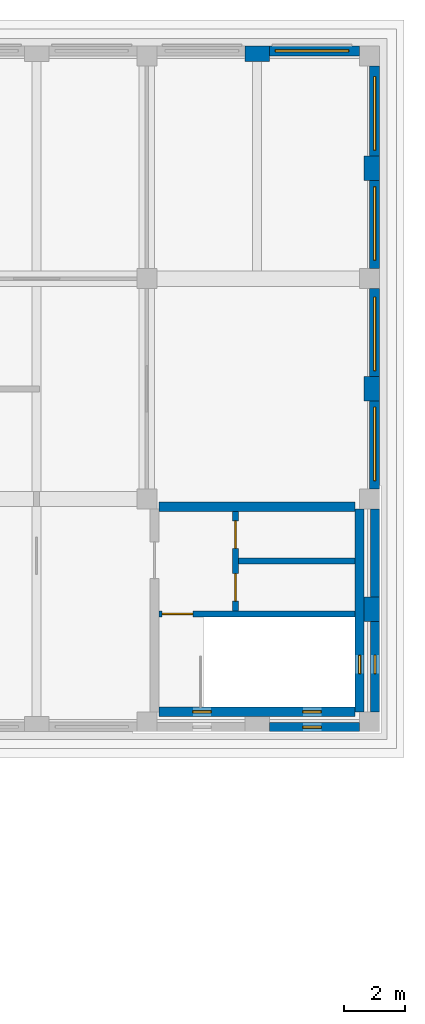
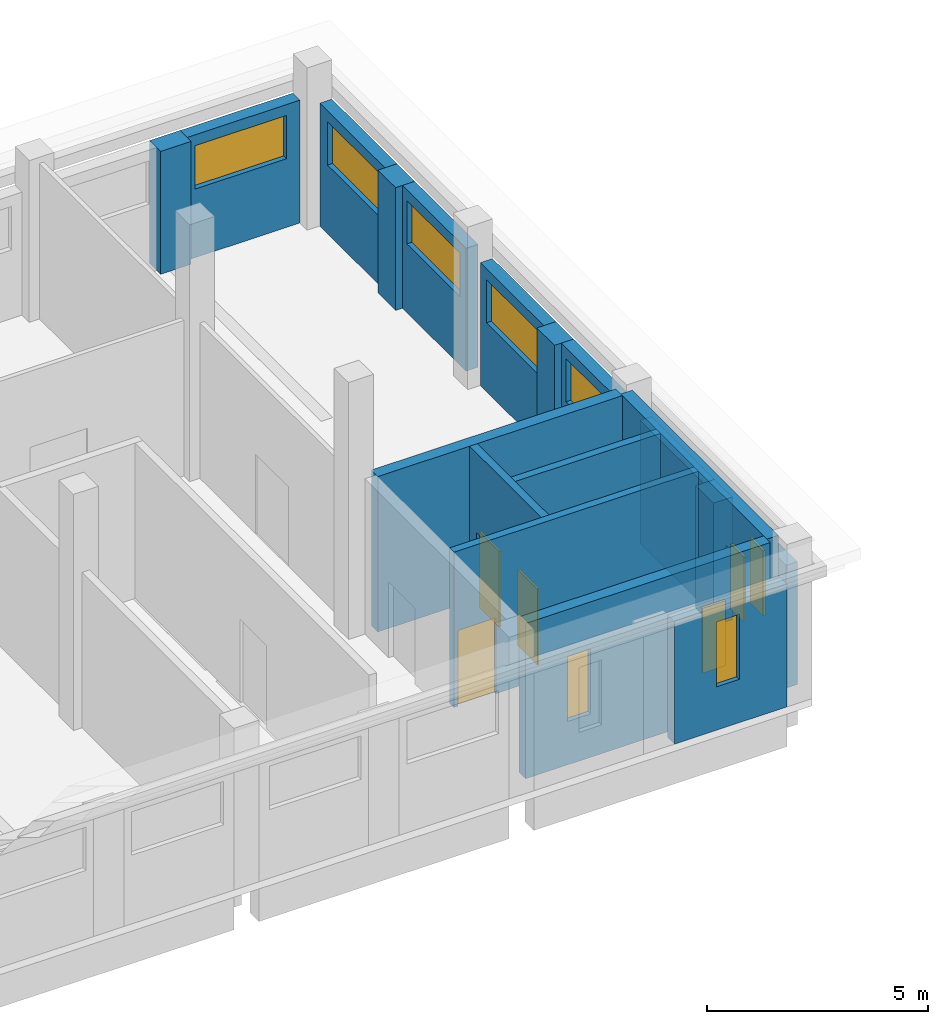
# One storey, part 32 of 58: 18 walls, 10 windows, 3 doors, 13 openings.
"""IFC4 building model written with IfcOpenShell, lengths in metres."""

from ifc_helpers import new_model, si_unit, direction, frame, frame_2d, origin, place, context, subcontext, project, spatial, rectangle, extrude, material, layer, layer_set, type_object, element, fill, save


model = new_model("IFC4")

# Units and contexts
model_context = context("Model", 3, precision=1e-05, world=origin(), true_north=direction((0.0, 1.0)))
body_context = subcontext(model_context, "Body", "Model", "MODEL_VIEW")
ifc_project = project(units=[si_unit("LENGTHUNIT", "METRE"), si_unit("AREAUNIT", "SQUARE_METRE"), si_unit("VOLUMEUNIT", "CUBIC_METRE"), si_unit("PLANEANGLEUNIT", "RADIAN"), si_unit("MASSUNIT", "GRAM", prefix="KILO")], contexts=[model_context])

# Site, building, storey
site_placement = place(None, origin())
site = spatial("IfcSite", under=ifc_project, at=site_placement, CompositionType="ELEMENT")
building_placement = place(site_placement, origin())
building = spatial("IfcBuilding", under=site, at=building_placement, Name="Ussher Court Research Institute", CompositionType="ELEMENT")
storey_placement = place(building_placement, frame((0.0, 0.0, 9.89990234375)))
storey = spatial("IfcBuildingStorey", under=building, at=storey_placement, Name="L02", CompositionType="ELEMENT", Elevation=9.89990234375)

# Wall, opening, window
ifc_material_1 = material(Name="Faience facing on insulated blockwork", Category="masonry")
ifc_layer_1 = layer(ifc_material_1, 0.320068359375)
ifc_layer_set_1 = layer_set([ifc_layer_1], Name="Faience facing on insulated blockwork")
wall_type_1 = type_object("IfcWallType", Name="Clean-room wall 320 faience faced insulated panel", PredefinedType="SOLIDWALL", material=ifc_layer_set_1)
wall_1_placement = place(storey_placement, frame((100.60009765625, 90.639892578125, 0.0), z_axis=(0.0, 0.0, 1.0), x_axis=(1.0, 0.0, 0.0)))
wall_1 = element("IfcWall", 1, at=wall_1_placement, inside=storey, type_object=wall_type_1, Name="External wall EW3 L02", PredefinedType="SOLIDWALL", context=body_context, shape_type="SweptSolid", body=[
    extrude(rectangle(XDim=2.949951171875, YDim=0.320068359375, at=frame_2d((1.47509765625, 0.0))), origin(), (0.0, 0.0, 1.0), 3.400146484375),
])
opening_1_placement = place(wall_1_placement, frame((0.199951171875, 0.0, 1.89990234375)))
opening_1 = element("IfcOpeningElement", 2, at=opening_1_placement, cuts=wall_1, Name="Opening W04", PredefinedType="OPENING", context=body_context, shape_type="SweptSolid", body=[
    extrude(rectangle(XDim=2.39990234375, YDim=1.199951171875, at=frame_2d((1.199951171875, 0.60009765625))), frame((0.0, 0.169921875, 0.0), z_axis=(0.0, -1.0, 0.0), x_axis=(1.0, 0.0, 0.0)), (0.0, 0.0, 1.0), 0.340087890625),
])
ifc_material_2 = material(Name="Bronze anodised aluminium with double glazing", Category="aluminium")
window_type_1 = type_object("IfcWindowType", Name="Clean-room clerestory window 2400x1200", PartitioningType="TRIPLE_PANEL_HORIZONTAL", PredefinedType="WINDOW", material=ifc_material_2)
window_1_placement = place(opening_1_placement, origin())
window_1 = element("IfcWindow", 3, at=window_1_placement, inside=storey, type_object=window_type_1, Name="Window W04 L02", OverallHeight=1.199951171875, OverallWidth=2.39990234375, PartitioningType="SINGLE_PANEL", PredefinedType="WINDOW", context=body_context, shape_type="SweptSolid", body=[
    extrude(rectangle(XDim=2.39990234375, YDim=1.199951171875, at=frame_2d((1.199951171875, 0.60009765625))), frame((0.0, 0.030029296875, 0.0), z_axis=(0.0, -1.0, 0.0), x_axis=(1.0, 0.0, 0.0)), (0.0, 0.0, 1.0), 0.06005859375),
])
fill(opening_1, window_1)

wall_2_placement = place(storey_placement, frame((104.0400390625, 90.14990234375, 0.0), z_axis=(0.0, 0.0, 1.0), x_axis=(0.0, -1.0, 0.0)))
wall_2 = element("IfcWall", 4, at=wall_2_placement, inside=storey, type_object=wall_type_1, Name="External wall EW3 L02", PredefinedType="SOLIDWALL", context=body_context, shape_type="SweptSolid", body=[
    extrude(rectangle(XDim=2.949951171875, YDim=0.320068359375, at=frame_2d((1.47509765625, 0.0))), origin(), (0.0, 0.0, 1.0), 3.400146484375),
])
opening_2_placement = place(wall_2_placement, frame((0.35009765625, 0.0, 1.89990234375)))
opening_2 = element("IfcOpeningElement", 5, at=opening_2_placement, cuts=wall_2, Name="Opening W04", PredefinedType="OPENING", context=body_context, shape_type="SweptSolid", body=[
    extrude(rectangle(XDim=2.39990234375, YDim=1.199951171875, at=frame_2d((1.199951171875, 0.60009765625))), frame((0.0, 0.169921875, 0.0), z_axis=(0.0, -1.0, 0.0), x_axis=(1.0, 0.0, 0.0)), (0.0, 0.0, 1.0), 0.340087890625),
])
window_2_placement = place(opening_2_placement, origin())
window_2 = element("IfcWindow", 6, at=window_2_placement, inside=storey, type_object=window_type_1, Name="Window W04 L02", OverallHeight=1.199951171875, OverallWidth=2.39990234375, PartitioningType="SINGLE_PANEL", PredefinedType="WINDOW", context=body_context, shape_type="SweptSolid", body=[
    extrude(rectangle(XDim=2.39990234375, YDim=1.199951171875, at=frame_2d((1.199951171875, 0.60009765625))), frame((0.0, 0.030029296875, 0.0), z_axis=(0.0, -1.0, 0.0), x_axis=(1.0, 0.0, 0.0)), (0.0, 0.0, 1.0), 0.06005859375),
])
fill(opening_2, window_2)

wall_3_placement = place(storey_placement, frame((104.0400390625, 86.39990234375, 0.0), z_axis=(0.0, 0.0, 1.0), x_axis=(0.0, -1.0, 0.0)))
wall_3 = element("IfcWall", 7, at=wall_3_placement, inside=storey, type_object=wall_type_1, Name="External wall EW3 L02", PredefinedType="SOLIDWALL", context=body_context, shape_type="SweptSolid", body=[
    extrude(rectangle(XDim=2.875, YDim=0.320068359375, at=frame_2d((1.4375, 0.0))), origin(), (0.0, 0.0, 1.0), 3.400146484375),
])
opening_3_placement = place(wall_3_placement, frame((0.199951171875, 0.0, 1.89990234375)))
opening_3 = element("IfcOpeningElement", 8, at=opening_3_placement, cuts=wall_3, Name="Opening W04", PredefinedType="OPENING", context=body_context, shape_type="SweptSolid", body=[
    extrude(rectangle(XDim=2.39990234375, YDim=1.199951171875, at=frame_2d((1.199951171875, 0.60009765625))), frame((0.0, 0.169921875, 0.0), z_axis=(0.0, -1.0, 0.0), x_axis=(1.0, 0.0, 0.0)), (0.0, 0.0, 1.0), 0.340087890625),
])
window_3_placement = place(opening_3_placement, origin())
window_3 = element("IfcWindow", 9, at=window_3_placement, inside=storey, type_object=window_type_1, Name="Window W04 L02", OverallHeight=1.199951171875, OverallWidth=2.39990234375, PartitioningType="SINGLE_PANEL", PredefinedType="WINDOW", context=body_context, shape_type="SweptSolid", body=[
    extrude(rectangle(XDim=2.39990234375, YDim=1.199951171875, at=frame_2d((1.199951171875, 0.60009765625))), frame((0.0, 0.030029296875, 0.0), z_axis=(0.0, -1.0, 0.0), x_axis=(1.0, 0.0, 0.0)), (0.0, 0.0, 1.0), 0.06005859375),
])
fill(opening_3, window_3)

wall_4_placement = place(storey_placement, frame((104.0400390625, 82.875, 0.0), z_axis=(0.0, 0.0, 1.0), x_axis=(0.0, -1.0, 0.0)))
wall_4 = element("IfcWall", 10, at=wall_4_placement, inside=storey, type_object=wall_type_1, Name="External wall EW3 L02", PredefinedType="SOLIDWALL", context=body_context, shape_type="SweptSolid", body=[
    extrude(rectangle(XDim=2.875, YDim=0.320068359375, at=frame_2d((1.4375, 0.0))), origin(), (0.0, 0.0, 1.0), 3.400146484375),
])
opening_4_placement = place(wall_4_placement, frame((0.27490234375, 0.0, 1.89990234375)))
opening_4 = element("IfcOpeningElement", 11, at=opening_4_placement, cuts=wall_4, Name="Opening W04", PredefinedType="OPENING", context=body_context, shape_type="SweptSolid", body=[
    extrude(rectangle(XDim=2.39990234375, YDim=1.199951171875, at=frame_2d((1.199951171875, 0.60009765625))), frame((0.0, 0.169921875, 0.0), z_axis=(0.0, -1.0, 0.0), x_axis=(1.0, 0.0, 0.0)), (0.0, 0.0, 1.0), 0.340087890625),
])
window_4_placement = place(opening_4_placement, origin())
window_4 = element("IfcWindow", 12, at=window_4_placement, inside=storey, type_object=window_type_1, Name="Window W04 L02", OverallHeight=1.199951171875, OverallWidth=2.39990234375, PartitioningType="SINGLE_PANEL", PredefinedType="WINDOW", context=body_context, shape_type="SweptSolid", body=[
    extrude(rectangle(XDim=2.39990234375, YDim=1.199951171875, at=frame_2d((1.199951171875, 0.60009765625))), frame((0.0, 0.030029296875, 0.0), z_axis=(0.0, -1.0, 0.0), x_axis=(1.0, 0.0, 0.0)), (0.0, 0.0, 1.0), 0.06005859375),
])
fill(opening_4, window_4)

wall_5_placement = place(storey_placement, frame((104.0400390625, 79.199951171875, 0.0), z_axis=(0.0, 0.0, 1.0), x_axis=(0.0, -1.0, 0.0)))
wall_5 = element("IfcWall", 13, at=wall_5_placement, inside=storey, type_object=wall_type_1, Name="External wall EW3 L02", PredefinedType="SOLIDWALL", context=body_context, shape_type="SweptSolid", body=[
    extrude(rectangle(XDim=2.875, YDim=0.320068359375, at=frame_2d((1.4375, 0.0))), origin(), (0.0, 0.0, 1.0), 3.400146484375),
])
opening_5_placement = place(wall_5_placement, frame((0.199951171875, 0.0, 1.89990234375)))
opening_5 = element("IfcOpeningElement", 14, at=opening_5_placement, cuts=wall_5, Name="Opening W04", PredefinedType="OPENING", context=body_context, shape_type="SweptSolid", body=[
    extrude(rectangle(XDim=2.39990234375, YDim=1.199951171875, at=frame_2d((1.199951171875, 0.60009765625))), frame((0.0, 0.169921875, 0.0), z_axis=(0.0, -1.0, 0.0), x_axis=(1.0, 0.0, 0.0)), (0.0, 0.0, 1.0), 0.340087890625),
])
window_5_placement = place(opening_5_placement, origin())
window_5 = element("IfcWindow", 15, at=window_5_placement, inside=storey, type_object=window_type_1, Name="Window W04 L02", OverallHeight=1.199951171875, OverallWidth=2.39990234375, PartitioningType="SINGLE_PANEL", PredefinedType="WINDOW", context=body_context, shape_type="SweptSolid", body=[
    extrude(rectangle(XDim=2.39990234375, YDim=1.199951171875, at=frame_2d((1.199951171875, 0.60009765625))), frame((0.0, 0.030029296875, 0.0), z_axis=(0.0, -1.0, 0.0), x_axis=(1.0, 0.0, 0.0)), (0.0, 0.0, 1.0), 0.06005859375),
])
fill(opening_5, window_5)

# Wall
ifc_material_3 = material(Name="Limestone facing on blockwork", Category="masonry")
ifc_layer_2 = layer(ifc_material_3, 0.300048828125)
ifc_layer_set_2 = layer_set([ifc_layer_2], Name="Limestone facing on blockwork")
wall_type_2 = type_object("IfcWallType", Name="External wall 300 stair enclosure", PredefinedType="SOLIDWALL", material=ifc_layer_set_2)
wall_6_placement = place(storey_placement, frame((104.050048828125, 75.675048828125, 0.0), z_axis=(0.0, 0.0, 1.0), x_axis=(0.0, -1.0, 0.0)))
element("IfcWall", 16, at=wall_6_placement, inside=storey, type_object=wall_type_2, Name="External wall EW5 L02", PredefinedType="SOLIDWALL", context=body_context, shape_type="SweptSolid", body=[
    extrude(rectangle(XDim=2.875, YDim=0.300048828125, at=frame_2d((1.4375, 0.0))), origin(), (0.0, 0.0, 1.0), 3.400146484375),
])

# Wall, opening, window
wall_7_placement = place(storey_placement, frame((104.050048828125, 72.0, 0.0), z_axis=(0.0, 0.0, 1.0), x_axis=(0.0, -1.0, 0.0)))
wall_7 = element("IfcWall", 17, at=wall_7_placement, inside=storey, type_object=wall_type_2, Name="External wall EW5 L02", PredefinedType="SOLIDWALL", context=body_context, shape_type="SweptSolid", body=[
    extrude(rectangle(XDim=2.949951171875, YDim=0.300048828125, at=frame_2d((1.47509765625, 0.0))), origin(), (0.0, 0.0, 1.0), 3.400146484375),
])
opening_6_placement = place(wall_7_placement, frame((1.10009765625, 0.0, 1.199951171875)))
opening_6 = element("IfcOpeningElement", 18, at=opening_6_placement, cuts=wall_7, Name="Opening W25", PredefinedType="OPENING", context=body_context, shape_type="SweptSolid", body=[
    extrude(rectangle(XDim=0.60009765625, YDim=1.800048828125, at=frame_2d((0.300048828125, 0.89990234375))), frame((0.0, 0.16015625, 0.0), z_axis=(0.0, -1.0, 0.0), x_axis=(1.0, 0.0, 0.0)), (0.0, 0.0, 1.0), 0.320068359375),
])
ifc_material_4 = material(Name="Bronze anodised aluminium with double glazing", Category="aluminium")
window_type_2 = type_object("IfcWindowType", Name="Stair light slot window 600x1800 fire-resisting glazing", PartitioningType="SINGLE_PANEL", PredefinedType="WINDOW", material=ifc_material_4)
window_6_placement = place(opening_6_placement, origin())
window_6 = element("IfcWindow", 19, at=window_6_placement, inside=storey, type_object=window_type_2, Name="Window W25 L02", OverallHeight=1.800048828125, OverallWidth=0.60009765625, PartitioningType="SINGLE_PANEL", PredefinedType="WINDOW", context=body_context, shape_type="SweptSolid", body=[
    extrude(rectangle(XDim=0.60009765625, YDim=1.800048828125, at=frame_2d((0.300048828125, 0.89990234375))), frame((0.0, 0.030029296875, 0.0), z_axis=(0.0, -1.0, 0.0), x_axis=(1.0, 0.0, 0.0)), (0.0, 0.0, 1.0), 0.06005859375),
])
fill(opening_6, window_6)

wall_8_placement = place(storey_placement, frame((103.550048828125, 68.550048828125, 0.0), z_axis=(0.0, 0.0, 1.0), x_axis=(-1.0, 0.0, 0.0)))
wall_8 = element("IfcWall", 20, at=wall_8_placement, inside=storey, type_object=wall_type_2, Name="External wall EW5 L02", PredefinedType="SOLIDWALL", context=body_context, shape_type="SweptSolid", body=[
    extrude(rectangle(XDim=2.949951171875, YDim=0.300048828125, at=frame_2d((1.47509765625, 0.0))), origin(), (0.0, 0.0, 1.0), 3.400146484375),
])
opening_7_placement = place(wall_8_placement, frame((1.25, 0.0, 1.199951171875)))
opening_7 = element("IfcOpeningElement", 21, at=opening_7_placement, cuts=wall_8, Name="Opening W25", PredefinedType="OPENING", context=body_context, shape_type="SweptSolid", body=[
    extrude(rectangle(XDim=0.60009765625, YDim=1.800048828125, at=frame_2d((0.300048828125, 0.89990234375))), frame((0.0, 0.16015625, 0.0), z_axis=(0.0, -1.0, 0.0), x_axis=(1.0, 0.0, 0.0)), (0.0, 0.0, 1.0), 0.320068359375),
])
window_7_placement = place(opening_7_placement, origin())
window_7 = element("IfcWindow", 22, at=window_7_placement, inside=storey, type_object=window_type_2, Name="Window W25 L02", OverallHeight=1.800048828125, OverallWidth=0.60009765625, PartitioningType="SINGLE_PANEL", PredefinedType="WINDOW", context=body_context, shape_type="SweptSolid", body=[
    extrude(rectangle(XDim=0.60009765625, YDim=1.800048828125, at=frame_2d((0.300048828125, 0.89990234375))), frame((0.0, 0.030029296875, 0.0), z_axis=(0.0, -1.0, 0.0), x_axis=(1.0, 0.0, 0.0)), (0.0, 0.0, 1.0), 0.06005859375),
])
fill(opening_7, window_7)

# Walls
ifc_material_5 = material(Name="Rusticated limestone facing on blockwork", Category="masonry")
ifc_layer_3 = layer(ifc_material_5, 0.5)
ifc_layer_set_3 = layer_set([ifc_layer_3], Name="Rusticated limestone facing on blockwork")
wall_type_3 = type_object("IfcWallType", Name="Pier 800x500 rusticated limestone", PredefinedType="SOLIDWALL", material=ifc_layer_set_3)
for number, where, z_axis, x_axis, name in (
    (23, (99.800048828125, 90.550048828125, 0.0), (0.0, 0.0, 1.0), (1.0, 0.0, 0.0), "Pier PR2 L02"),
    (24, (103.949951171875, 87.199951171875, 0.0), (0.0, 0.0, 1.0), (0.0, -1.0, 0.0), "Pier PR2 L02"),
    (25, (103.949951171875, 80.0, 0.0), (0.0, 0.0, 1.0), (0.0, -1.0, 0.0), "Pier PR2 L02"),
    (26, (103.949951171875, 72.800048828125, 0.0), (0.0, 0.0, 1.0), (0.0, -1.0, 0.0), "Pier PR2 L02"),
):
    element("IfcWall", number, at=place(storey_placement, frame(where, z_axis=z_axis, x_axis=x_axis)), inside=storey, type_object=wall_type_3, Name=name, PredefinedType="SOLIDWALL", context=body_context, shape_type="SweptSolid", body=[
        extrude(rectangle(XDim=0.800048828125, YDim=0.5, at=frame_2d((0.39990234375, 0.0))), origin(), (0.0, 0.0, 1.0), 3.400146484375),
    ])

# Wall, opening, door
ifc_material_6 = material(Name="Concrete C35/45", Category="concrete")
ifc_layer_4 = layer(ifc_material_6, 0.199951171875)
ifc_layer_set_4 = layer_set([ifc_layer_4], Name="Concrete C35/45")
wall_type_4 = type_object("IfcWallType", Name="RC core wall 200", PredefinedType="SHEAR", material=ifc_layer_set_4)
wall_9_placement = place(storey_placement, frame((103.39990234375, 72.25, 0.0), z_axis=(0.0, 0.0, 1.0), x_axis=(-1.0, 0.0, 0.0)))
wall_9 = element("IfcWall", 27, at=wall_9_placement, inside=storey, type_object=wall_type_4, Name="Core wall C2", PredefinedType="SHEAR", context=body_context, shape_type="SweptSolid", body=[
    extrude(rectangle(XDim=6.39990234375, YDim=0.199951171875, at=frame_2d((3.199951171875, 0.0))), origin(), (0.0, 0.0, 1.0), 4.300048828125),
])
opening_8_placement = place(wall_9_placement, frame((5.300048828125, 0.0, 0.0)))
opening_8 = element("IfcOpeningElement", 28, at=opening_8_placement, cuts=wall_9, Name="Opening D02069", PredefinedType="OPENING", context=body_context, shape_type="SweptSolid", body=[
    extrude(rectangle(XDim=1.0, YDim=2.10009765625, at=frame_2d((0.5, 1.050048828125))), frame((0.0, 0.10986328125, 0.0), z_axis=(0.0, -1.0, 0.0), x_axis=(1.0, 0.0, 0.0)), (0.0, 0.0, 1.0), 0.219970703125),
])
ifc_material_7 = material(Name="Painted steel faced fire door", Category="steel")
door_type_1 = type_object("IfcDoorType", Name="Fire door 1000x2100 FD60", OperationType="NOTDEFINED", PredefinedType="DOOR", material=ifc_material_7)
door_1_placement = place(opening_8_placement, origin())
door_1 = element("IfcDoor", 29, at=door_1_placement, inside=storey, type_object=door_type_1, Name="Door D02069", OperationType="SINGLE_SWING_RIGHT", OverallHeight=2.10009765625, OverallWidth=1.0, PredefinedType="DOOR", context=body_context, shape_type="SweptSolid", body=[
    extrude(rectangle(XDim=1.0, YDim=2.10009765625, at=frame_2d((0.5, 1.050048828125))), frame((0.0, 0.02490234375, 0.0), z_axis=(0.0, -1.0, 0.0), x_axis=(1.0, 0.0, 0.0)), (0.0, 0.0, 1.0), 0.050048828125),
])
fill(opening_8, door_1)

# Wall, openings, doors
wall_10_placement = place(storey_placement, frame((99.5, 72.35009765625, 0.0), z_axis=(0.0, 0.0, 1.0), x_axis=(0.0, 1.0, 0.0)))
wall_10 = element("IfcWall", 30, at=wall_10_placement, inside=storey, type_object=wall_type_4, Name="Core wall C2", PredefinedType="SHEAR", context=body_context, shape_type="SweptSolid", body=[
    extrude(rectangle(XDim=3.25, YDim=0.199951171875, at=frame_2d((1.625, 0.0))), origin(), (0.0, 0.0, 1.0), 4.300048828125),
])
opening_9_placement = place(wall_10_placement, frame((0.3125, 0.0, 0.0)))
opening_9 = element("IfcOpeningElement", 31, at=opening_9_placement, cuts=wall_10, Name="Opening D02070", PredefinedType="OPENING", context=body_context, shape_type="SweptSolid", body=[
    extrude(rectangle(XDim=0.89990234375, YDim=2.10009765625, at=frame_2d((0.449951171875, 1.050048828125))), frame((0.0, 0.10986328125, 0.0), z_axis=(0.0, -1.0, 0.0), x_axis=(1.0, 0.0, 0.0)), (0.0, 0.0, 1.0), 0.219970703125),
])
opening_10_placement = place(wall_10_placement, frame((2.03759765625, 0.0, 0.0)))
opening_10 = element("IfcOpeningElement", 32, at=opening_10_placement, cuts=wall_10, Name="Opening D02071", PredefinedType="OPENING", context=body_context, shape_type="SweptSolid", body=[
    extrude(rectangle(XDim=0.89990234375, YDim=2.10009765625, at=frame_2d((0.449951171875, 1.050048828125))), frame((0.0, 0.10986328125, 0.0), z_axis=(0.0, -1.0, 0.0), x_axis=(1.0, 0.0, 0.0)), (0.0, 0.0, 1.0), 0.219970703125),
])
ifc_material_8 = material(Name="Painted steel faced fire door", Category="steel")
door_type_2 = type_object("IfcDoorType", Name="Fire door 900x2100 FD60", OperationType="NOTDEFINED", PredefinedType="DOOR", material=ifc_material_8)
door_2_placement = place(opening_9_placement, origin())
door_2 = element("IfcDoor", 33, at=door_2_placement, inside=storey, type_object=door_type_2, Name="Door D02070", OperationType="SINGLE_SWING_LEFT", OverallHeight=2.10009765625, OverallWidth=0.89990234375, PredefinedType="DOOR", context=body_context, shape_type="SweptSolid", body=[
    extrude(rectangle(XDim=0.89990234375, YDim=2.10009765625, at=frame_2d((0.449951171875, 1.050048828125))), frame((0.0, 0.02490234375, 0.0), z_axis=(0.0, -1.0, 0.0), x_axis=(1.0, 0.0, 0.0)), (0.0, 0.0, 1.0), 0.050048828125),
])
fill(opening_9, door_2)
door_3_placement = place(opening_10_placement, origin())
door_3 = element("IfcDoor", 34, at=door_3_placement, inside=storey, type_object=door_type_2, Name="Door D02071", OperationType="SINGLE_SWING_RIGHT", OverallHeight=2.10009765625, OverallWidth=0.89990234375, PredefinedType="DOOR", context=body_context, shape_type="SweptSolid", body=[
    extrude(rectangle(XDim=0.89990234375, YDim=2.10009765625, at=frame_2d((0.449951171875, 1.050048828125))), frame((0.0, 0.02490234375, 0.0), z_axis=(0.0, -1.0, 0.0), x_axis=(1.0, 0.0, 0.0)), (0.0, 0.0, 1.0), 0.050048828125),
])
fill(opening_10, door_3)

# Wall
wall_11_placement = place(storey_placement, frame((99.60009765625, 73.97509765625, 0.0), z_axis=(0.0, 0.0, 1.0), x_axis=(1.0, 0.0, 0.0)))
element("IfcWall", 35, at=wall_11_placement, inside=storey, type_object=wall_type_4, Name="Core wall C2", PredefinedType="SHEAR", context=body_context, shape_type="SweptSolid", body=[
    extrude(rectangle(XDim=3.7998046875, YDim=0.199951171875, at=frame_2d((1.89990234375, 0.0))), origin(), (0.0, 0.0, 1.0), 4.300048828125),
])

# Wall, opening, window
ifc_material_9 = material(Name="Concrete C35/45", Category="concrete")
ifc_layer_5 = layer(ifc_material_9, 0.300048828125)
ifc_layer_set_5 = layer_set([ifc_layer_5], Name="Concrete C35/45")
wall_type_5 = type_object("IfcWallType", Name="RC core wall 300", PredefinedType="SHEAR", material=ifc_layer_set_5)
wall_12_placement = place(storey_placement, frame((103.550048828125, 69.050048828125, 0.0), z_axis=(0.0, 0.0, 1.0), x_axis=(0.0, 1.0, 0.0)))
wall_12 = element("IfcWall", 36, at=wall_12_placement, inside=storey, type_object=wall_type_5, Name="Core wall C2", PredefinedType="SHEAR", context=body_context, shape_type="SweptSolid", body=[
    extrude(rectangle(XDim=6.625, YDim=0.300048828125, at=frame_2d((3.3125, 0.0))), origin(), (0.0, 0.0, 1.0), 4.300048828125),
])
opening_11_placement = place(wall_12_placement, frame((1.25, 0.0, 1.199951171875)))
opening_11 = element("IfcOpeningElement", 37, at=opening_11_placement, cuts=wall_12, Name="Opening W25", PredefinedType="OPENING", context=body_context, shape_type="SweptSolid", body=[
    extrude(rectangle(XDim=0.60009765625, YDim=1.800048828125, at=frame_2d((0.300048828125, 0.89990234375))), frame((0.0, 0.16015625, 0.0), z_axis=(0.0, -1.0, 0.0), x_axis=(1.0, 0.0, 0.0)), (0.0, 0.0, 1.0), 0.320068359375),
])
window_8_placement = place(opening_11_placement, origin())
window_8 = element("IfcWindow", 38, at=window_8_placement, inside=storey, type_object=window_type_2, Name="Window stair light C2 L02", OverallHeight=1.800048828125, OverallWidth=0.60009765625, PartitioningType="SINGLE_PANEL", PredefinedType="WINDOW", context=body_context, shape_type="SweptSolid", body=[
    extrude(rectangle(XDim=0.60009765625, YDim=1.800048828125, at=frame_2d((0.300048828125, 0.89990234375))), frame((0.0, 0.030029296875, 0.0), z_axis=(0.0, -1.0, 0.0), x_axis=(1.0, 0.0, 0.0)), (0.0, 0.0, 1.0), 0.06005859375),
])
fill(opening_11, window_8)

# Wall, openings, windows
wall_13_placement = place(storey_placement, frame((97.0, 69.050048828125, 0.0), z_axis=(0.0, 0.0, 1.0), x_axis=(1.0, 0.0, 0.0)))
wall_13 = element("IfcWall", 39, at=wall_13_placement, inside=storey, type_object=wall_type_5, Name="Core wall C2", PredefinedType="SHEAR", context=body_context, shape_type="SweptSolid", body=[
    extrude(rectangle(XDim=6.39990234375, YDim=0.300048828125, at=frame_2d((3.199951171875, 0.0))), origin(), (0.0, 0.0, 1.0), 4.300048828125),
])
opening_12_placement = place(wall_13_placement, frame((4.699951171875, 0.0, 1.199951171875)))
opening_12 = element("IfcOpeningElement", 40, at=opening_12_placement, cuts=wall_13, Name="Opening W25", PredefinedType="OPENING", context=body_context, shape_type="SweptSolid", body=[
    extrude(rectangle(XDim=0.60009765625, YDim=1.800048828125, at=frame_2d((0.300048828125, 0.89990234375))), frame((0.0, 0.16015625, 0.0), z_axis=(0.0, -1.0, 0.0), x_axis=(1.0, 0.0, 0.0)), (0.0, 0.0, 1.0), 0.320068359375),
])
opening_13_placement = place(wall_13_placement, frame((1.10009765625, 0.0, 1.199951171875)))
opening_13 = element("IfcOpeningElement", 41, at=opening_13_placement, cuts=wall_13, Name="Opening W25", PredefinedType="OPENING", context=body_context, shape_type="SweptSolid", body=[
    extrude(rectangle(XDim=0.60009765625, YDim=1.800048828125, at=frame_2d((0.300048828125, 0.89990234375))), frame((0.0, 0.16015625, 0.0), z_axis=(0.0, -1.0, 0.0), x_axis=(1.0, 0.0, 0.0)), (0.0, 0.0, 1.0), 0.320068359375),
])
window_9_placement = place(opening_12_placement, origin())
window_9 = element("IfcWindow", 42, at=window_9_placement, inside=storey, type_object=window_type_2, Name="Window stair light C2 L02", OverallHeight=1.800048828125, OverallWidth=0.60009765625, PartitioningType="SINGLE_PANEL", PredefinedType="WINDOW", context=body_context, shape_type="SweptSolid", body=[
    extrude(rectangle(XDim=0.60009765625, YDim=1.800048828125, at=frame_2d((0.300048828125, 0.89990234375))), frame((0.0, 0.030029296875, 0.0), z_axis=(0.0, -1.0, 0.0), x_axis=(1.0, 0.0, 0.0)), (0.0, 0.0, 1.0), 0.06005859375),
])
fill(opening_12, window_9)
window_10_placement = place(opening_13_placement, origin())
window_10 = element("IfcWindow", 43, at=window_10_placement, inside=storey, type_object=window_type_2, Name="Window stair light C2 L02", OverallHeight=1.800048828125, OverallWidth=0.60009765625, PartitioningType="SINGLE_PANEL", PredefinedType="WINDOW", context=body_context, shape_type="SweptSolid", body=[
    extrude(rectangle(XDim=0.60009765625, YDim=1.800048828125, at=frame_2d((0.300048828125, 0.89990234375))), frame((0.0, 0.030029296875, 0.0), z_axis=(0.0, -1.0, 0.0), x_axis=(1.0, 0.0, 0.0)), (0.0, 0.0, 1.0), 0.06005859375),
])
fill(opening_13, window_10)

# Wall
wall_14_placement = place(storey_placement, frame((97.0, 75.75, 0.0), z_axis=(0.0, 0.0, 1.0), x_axis=(1.0, 0.0, 0.0)))
element("IfcWall", 44, at=wall_14_placement, inside=storey, type_object=wall_type_5, Name="Core wall C2", PredefinedType="SHEAR", context=body_context, shape_type="SweptSolid", body=[
    extrude(rectangle(XDim=6.39990234375, YDim=0.300048828125, at=frame_2d((3.199951171875, 0.0))), origin(), (0.0, 0.0, 1.0), 4.300048828125),
])

save(model, "model.ifc")
